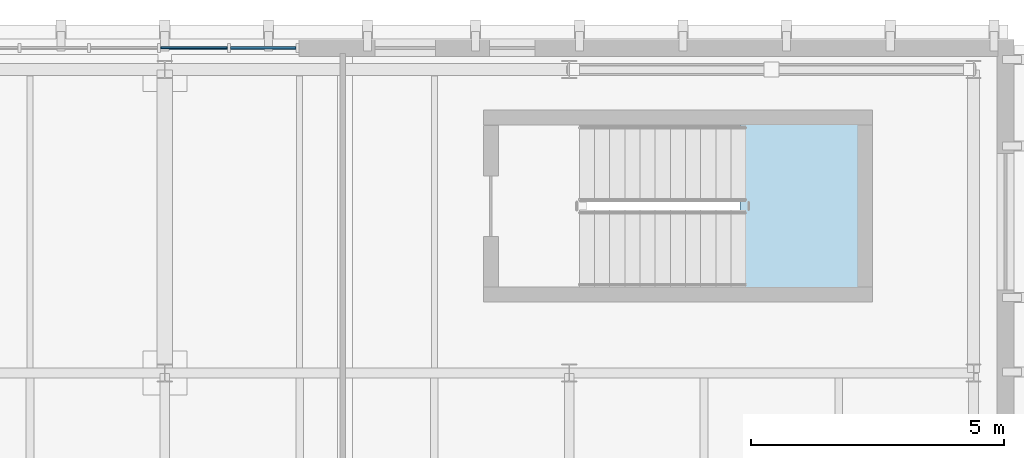
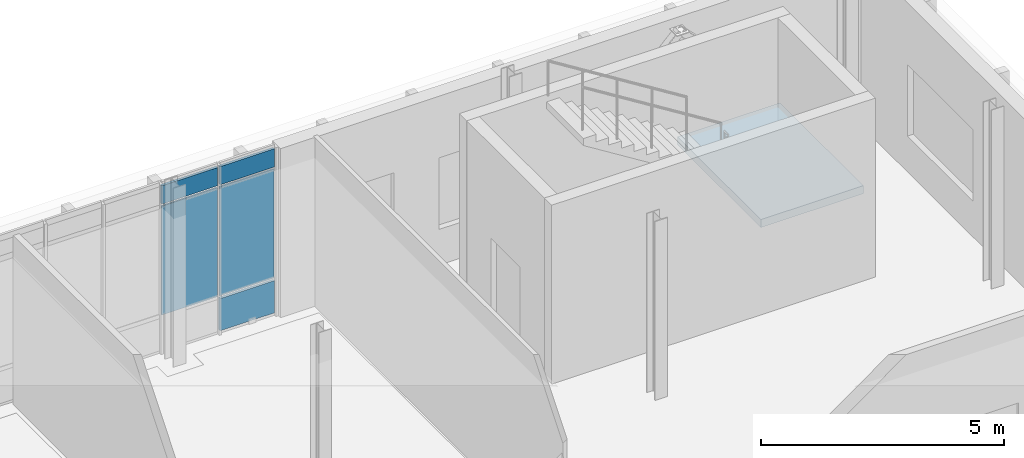
# One storey, part 59 of 100: 5 plates, 1 slab, 2 elements without a shape of their own.
"""IFC4 building model written with IfcOpenShell, lengths in metres."""

from ifc_helpers import new_model, si_unit, direction, frame, origin, origin_2d, place, context, subcontext, project, spatial, polyline, rectangle, outline, extrude, material, layer, layer_set, type_object, element, aggregate, save


model = new_model("IFC4")

# Units and contexts
model_context = context("Model", 3, precision=1e-05, world=origin(), true_north=direction((0.0, 1.0)))
body_context = subcontext(model_context, "Body", "Model", "MODEL_VIEW")
ifc_project = project(units=[si_unit("LENGTHUNIT", "METRE"), si_unit("AREAUNIT", "SQUARE_METRE"), si_unit("VOLUMEUNIT", "CUBIC_METRE"), si_unit("PLANEANGLEUNIT", "RADIAN"), si_unit("MASSUNIT", "GRAM", prefix="KILO")], contexts=[model_context])

# Site, building, storey
site_placement = place(None, origin())
site = spatial("IfcSite", under=ifc_project, at=site_placement, CompositionType="ELEMENT")
building_placement = place(site_placement, origin())
building = spatial("IfcBuilding", under=site, at=building_placement, Name="Cymarion Research Institute", CompositionType="ELEMENT")
storey_placement = place(building_placement, frame((0.0, 0.0, 9.300048828125)))
storey = spatial("IfcBuildingStorey", under=building, at=storey_placement, Name="L02", CompositionType="ELEMENT", Elevation=9.300048828125)

# Curtain wall, plates
ifc_material_1 = material(Name="Anodised aluminium unitised curtain wall with Low-E glazing", Category="aluminium")
curtain_wall_type = type_object("IfcCurtainWallType", Name="UNITISED CURTAIN WALL CW23 6910X4250", PredefinedType="NOTDEFINED", material=ifc_material_1)
curtain_wall_placement = place(storey_placement, origin())
curtain_wall = element("IfcCurtainWall", 1, at=curtain_wall_placement, inside=storey, type_object=curtain_wall_type, Name="L02 V5 unitised curtain wall CW23 #108", PredefinedType="NOTDEFINED")
ifc_material_2 = material(Name="Insulated anodised aluminium spandrel panel", Category="aluminium")
ifc_layer_1 = layer(ifc_material_2, 0.06005859375)
ifc_layer_set_1 = layer_set([ifc_layer_1], Name="Insulated anodised aluminium spandrel panel")
plate_type_1 = type_object("IfcPlateType", Name="INSULATED ALUMINIUM SPANDREL PANEL SP01 60MM", PredefinedType="SHEET", material=ifc_layer_set_1)
plate_1_placement = place(storey_placement, frame((32.545654296875, 115.929931640625, 0.059814453125), z_axis=(0.0, 0.0, 1.0), x_axis=(-1.0, 0.0, 0.0)))
plate_1 = element("IfcPlate", 2, at=plate_1_placement, type_object=plate_type_1, Name="CW23 panel 1.1", PredefinedType="SHEET", context=body_context, shape_type="SweptSolid", body=[
    extrude(rectangle(XDim=1.29248046875, YDim=0.06005859375, at=origin_2d()), origin(), (0.0, 0.0, 1.0), 0.81005859375),
])
plate_2_placement = place(storey_placement, frame((32.545654296875, 115.929931640625, 3.72998046875), z_axis=(0.0, 0.0, 1.0), x_axis=(-1.0, 0.0, 0.0)))
plate_2 = element("IfcPlate", 3, at=plate_2_placement, type_object=plate_type_1, Name="CW23 panel 1.3", PredefinedType="SHEET", context=body_context, shape_type="SweptSolid", body=[
    extrude(rectangle(XDim=1.29248046875, YDim=0.06005859375, at=origin_2d()), origin(), (0.0, 0.0, 1.0), 0.4599609375),
])
plate_3_placement = place(storey_placement, frame((31.177978515625, 115.929931640625, 3.72998046875), z_axis=(0.0, 0.0, 1.0), x_axis=(-1.0, 0.0, 0.0)))
plate_3 = element("IfcPlate", 4, at=plate_3_placement, type_object=plate_type_1, Name="CW23 panel 2.3", PredefinedType="SHEET", context=body_context, shape_type="SweptSolid", body=[
    extrude(rectangle(XDim=1.322509765625, YDim=0.06005859375, at=origin_2d()), origin(), (0.0, 0.0, 1.0), 0.4599609375),
])

# Stair, slab
ifc_material_3 = material(Name="Concrete C35/45", Category="concrete")
stair_type = type_object("IfcStairType", Name="REINFORCED CONCRETE DOGLEG STAIR STR-4500", PredefinedType="HALF_TURN_STAIR", material=ifc_material_3)
stair_placement = place(storey_placement, origin())
stair = element("IfcStair", 5, at=stair_placement, inside=storey, type_object=stair_type, Name="L02 Core C10 Smoke-Proof Exit Stair ST10", PredefinedType="HALF_TURN_STAIR")
ifc_layer_2 = layer(ifc_material_3, 0.199951171875)
ifc_layer_set_2 = layer_set([ifc_layer_2], Name="Concrete C35/45")
slab_type = type_object("IfcSlabType", Name="REINFORCED CONCRETE STAIR LANDING LDG200", PredefinedType="LANDING", material=ifc_layer_set_2)
slab_placement = place(storey_placement, frame((0.0, 0.0, 2.050048828125)))
slab = element("IfcSlab", 6, at=slab_placement, type_object=slab_type, Name="ST10 landing 1", PredefinedType="LANDING", context=body_context, shape_type="SweptSolid", body=[
    extrude(outline(polyline([(41.97998046875, 111.080078125), (41.97998046875, 114.52001953125), (44.419921875, 114.52001953125), (44.419921875, 111.080078125), (41.97998046875, 111.080078125)])), origin(), (0.0, 0.0, 1.0), 0.199951171875),
])
aggregate(stair, [slab])

# Plate
ifc_material_4 = material(Name="Low-E double solar-control glazing", Category="glass")
ifc_layer_3 = layer(ifc_material_4, 0.035888671875)
ifc_layer_set_3 = layer_set([ifc_layer_3], Name="Low-E double solar-control glazing")
plate_type_2 = type_object("IfcPlateType", Name="SOLAR CONTROL GLAZED VISION PANEL GP01 36MM", PredefinedType="CURTAIN_PANEL", material=ifc_layer_set_3)
plate_4_placement = place(storey_placement, frame((32.545654296875, 115.929931640625, 0.93017578125), z_axis=(0.0, 0.0, 1.0), x_axis=(-1.0, 0.0, 0.0)))
plate_4 = element("IfcPlate", 7, at=plate_4_placement, type_object=plate_type_2, Name="CW23 panel 1.2", PredefinedType="CURTAIN_PANEL", context=body_context, shape_type="SweptSolid", body=[
    extrude(rectangle(XDim=1.29248046875, YDim=0.035888671875, at=origin_2d()), origin(), (0.0, 0.0, 1.0), 2.739990234375),
])

plate_5_placement = place(storey_placement, frame((31.177978515625, 115.929931640625, 0.93017578125), z_axis=(0.0, 0.0, 1.0), x_axis=(-1.0, 0.0, 0.0)))
plate_5 = element("IfcPlate", 8, at=plate_5_placement, type_object=plate_type_2, Name="CW23 panel 2.2", PredefinedType="CURTAIN_PANEL", context=body_context, shape_type="SweptSolid", body=[
    extrude(rectangle(XDim=1.322509765625, YDim=0.035888671875, at=origin_2d()), origin(), (0.0, 0.0, 1.0), 2.739990234375),
])

aggregate(curtain_wall, [plate_1, plate_4, plate_2, plate_5, plate_3])

save(model, "model.ifc")
